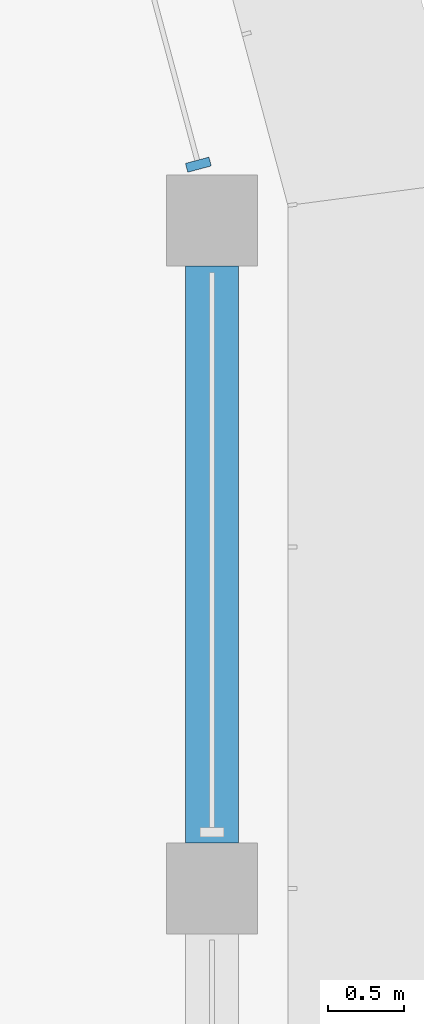
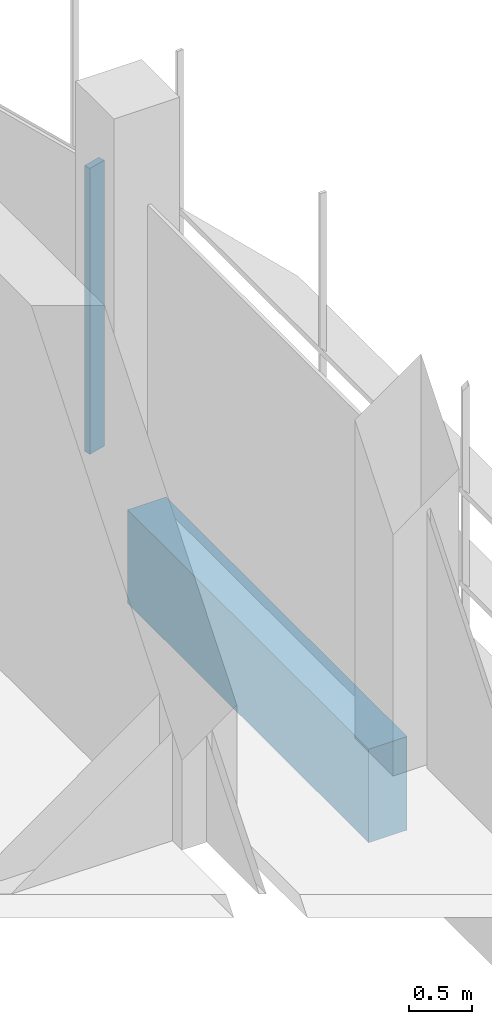
# One storey, part 10 of 19: 1 beam, 1 member, 1 element without a shape of its own.
"""IFC4 building model written with IfcOpenShell, lengths in metres."""

from ifc_helpers import new_model, si_unit, direction, frame, origin, origin_2d, place, context, subcontext, project, spatial, polyline, rectangle, outline, extrude, source, transform, mapped, material, material_profile, profile_set, type_object, element, aggregate, save


model = new_model("IFC4")

# Units and contexts
model_context = context("Model", 3, precision=1e-05, world=origin(), true_north=direction((0.0, 1.0)))
body_context = subcontext(model_context, "Body", "Model", "MODEL_VIEW")
ifc_project = project(units=[si_unit("LENGTHUNIT", "METRE"), si_unit("AREAUNIT", "SQUARE_METRE"), si_unit("VOLUMEUNIT", "CUBIC_METRE"), si_unit("PLANEANGLEUNIT", "RADIAN"), si_unit("MASSUNIT", "GRAM", prefix="KILO")], contexts=[model_context])

# Site, building, storey
site_placement = place(None, origin())
site = spatial("IfcSite", under=ifc_project, at=site_placement, CompositionType="ELEMENT")
building_placement = place(site_placement, origin())
building = spatial("IfcBuilding", under=site, at=building_placement, Name="Zarbagh Exchange Tower", CompositionType="ELEMENT")
storey_placement = place(building_placement, frame((0.0, 0.0, 253.60009765625)))
storey = spatial("IfcBuildingStorey", under=building, at=storey_placement, Name="L62", CompositionType="ELEMENT", Elevation=253.60009765625)

# Beam
ifc_material_1 = material(Name="Concrete C40/50", Category="concrete")
ifc_material_profile = material_profile(ifc_material_1, rectangle(XDim=0.35009765625, YDim=0.89990234375, at=origin_2d()), Name="RC spandrel beam 350 x 900 C40/50")
ifc_profile_set = profile_set([ifc_material_profile], Name="Concrete C40/50")
beam_type = type_object("IfcBeamType", Name="RC spandrel beam 350 x 900 C40/50", PredefinedType="SPANDREL", material=ifc_profile_set)
beam_placement = place(storey_placement, frame((6.25, 24.35009765625, -0.60009765625), z_axis=(0.0, -1.0, 0.0), x_axis=(1.0, 0.0, 0.0)))
element("IfcBeam", 1, at=beam_placement, inside=storey, type_object=beam_type, Name="RC spandrel beam", PredefinedType="SPANDREL", context=body_context, shape_type="SweptSolid", body=[
    extrude(rectangle(XDim=0.35009765625, YDim=0.89990234375, at=origin_2d()), origin(), (0.0, 0.0, 1.0), 3.800048828125),
])

# Curtain wall, member
ifc_material_2 = material(Name="Anodised aluminium frame and glazing", Category="aluminium")
curtain_wall_type = type_object("IfcCurtainWallType", Name="CWB Ribbon glazing, upper zones", PredefinedType="NOTDEFINED", material=ifc_material_2)
curtain_wall_placement = place(storey_placement, origin())
curtain_wall = element("IfcCurtainWall", 2, at=curtain_wall_placement, inside=storey, type_object=curtain_wall_type, Name="CWB68 curtain wall", PredefinedType="NOTDEFINED")
ifc_material_3 = material(Name="Anodised aluminium frame", Category="aluminium")
member_type = type_object("IfcMemberType", Name="MUB Mullion, anodised aluminium frame", PredefinedType="MULLION", material=ifc_material_3)
shared_shape = source(origin(), body_context, "Body", "SweptSolid", [
    extrude(outline(polyline([(0.0, -0.080078125), (0.06005859375, -0.080078125), (0.06005859375, 0.080078125), (0.0, 0.080078125), (0.0, -0.080078125)])), origin(), (0.0, 0.0, 1.0), 2.75),
])
member_placement = place(storey_placement, origin())
member = element("IfcMember", 3, at=member_placement, type_object=member_type, Name="CWB68 mullion 1.1", PredefinedType="MULLION", context=body_context, shape_type="MappedRepresentation", body=[
    mapped(shared_shape, transform((6.16796875, 24.989990234375, 0.0), x_axis=(-0.258824779902, 0.965924289636, 0.0), y_axis=(-0.965924289636, -0.258824779902, 0.0), z_axis=(0.0, 0.0, 1.0))),
])
aggregate(curtain_wall, [member])

save(model, "model.ifc")
